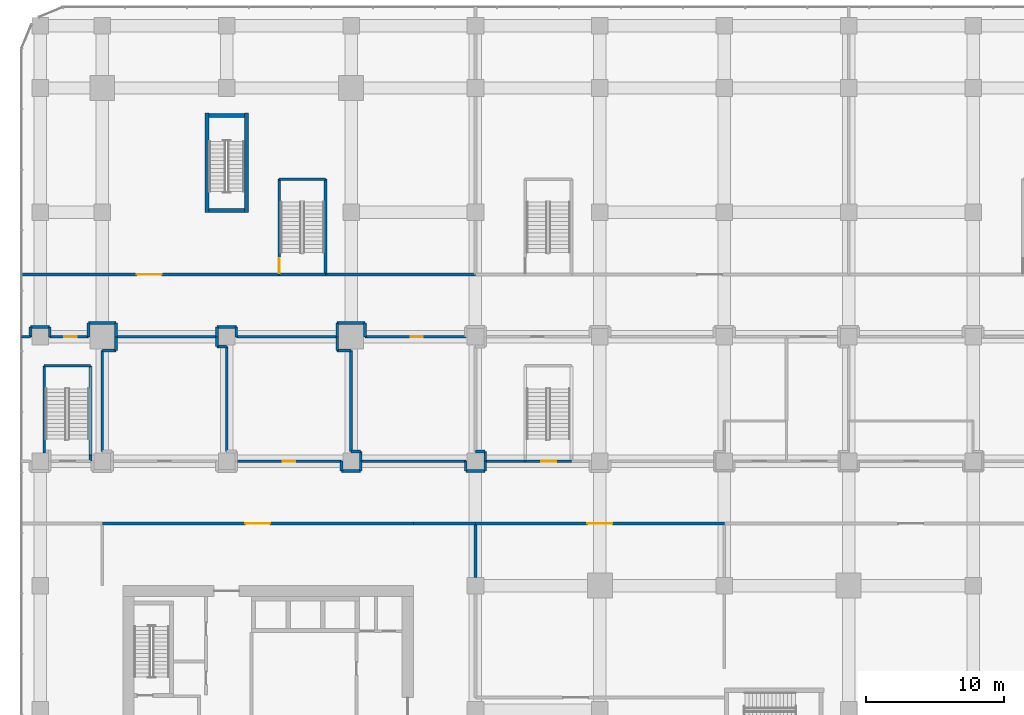
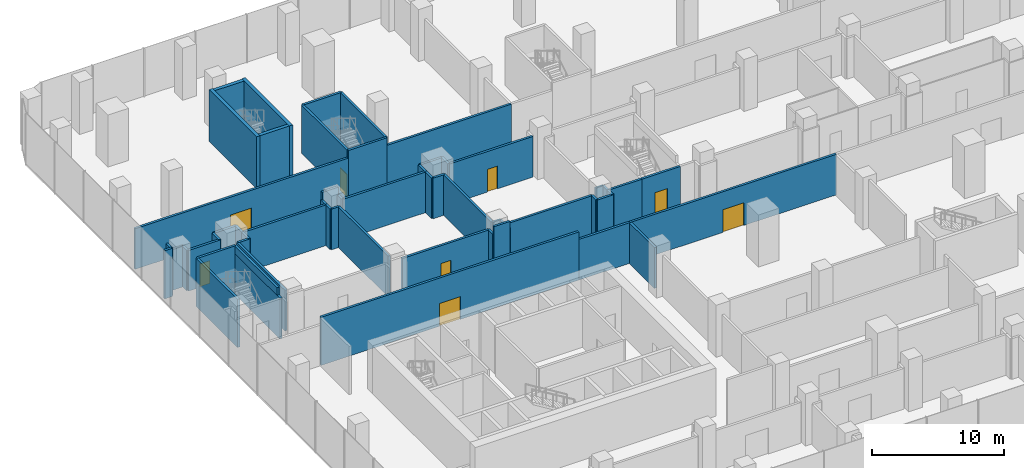
# One storey, part 31 of 42: 58 walls, 8 doors, 8 openings.
"""IFC4 building model written with IfcOpenShell, lengths in metres."""

from ifc_helpers import new_model, si_unit, direction, frame, frame_2d, origin, place, context, subcontext, project, spatial, rectangle, extrude, material, layer, layer_set, type_object, element, fill, save


model = new_model("IFC4")

# Units and contexts
model_context = context("Model", 3, precision=1e-05, world=origin(), true_north=direction((0.0, 1.0)))
body_context = subcontext(model_context, "Body", "Model", "MODEL_VIEW")
ifc_project = project(units=[si_unit("LENGTHUNIT", "METRE"), si_unit("AREAUNIT", "SQUARE_METRE"), si_unit("VOLUMEUNIT", "CUBIC_METRE"), si_unit("PLANEANGLEUNIT", "RADIAN"), si_unit("MASSUNIT", "GRAM", prefix="KILO")], contexts=[model_context])

# Site, building, storey
site_placement = place(None, origin())
site = spatial("IfcSite", under=ifc_project, at=site_placement, CompositionType="ELEMENT")
building_placement = place(site_placement, origin())
building = spatial("IfcBuilding", under=site, at=building_placement, Name="Plateau Cross Towers", CompositionType="ELEMENT")
storey_placement = place(building_placement, frame((0.0, 0.0, 8.0)))
storey = spatial("IfcBuildingStorey", under=building, at=storey_placement, Name="L01", CompositionType="ELEMENT", Elevation=8.0)

# Wall, opening, door
ifc_material_1 = material(Name="Gypsum board on steel studs, two layers each side", Category="steel")
ifc_layer_1 = layer(ifc_material_1, 0.199951171875)
ifc_layer_set_1 = layer_set([ifc_layer_1], Name="Gypsum board on steel studs, two layers each side")
wall_type_1 = type_object("IfcWallType", Name="Podium compartment wall 200", PredefinedType="PARTITIONING", material=ifc_layer_set_1)
wall_1_placement = place(storey_placement, frame((-1.0, 36.0, 0.0), z_axis=(0.0, 0.0, 1.0), x_axis=(-1.0, 0.0, 0.0)))
wall_1 = element("IfcWall", 1, at=wall_1_placement, inside=storey, type_object=wall_type_1, Name="Partition wall", PredefinedType="PARTITIONING", context=body_context, shape_type="SweptSolid", body=[
    extrude(rectangle(XDim=2.800048828125, YDim=0.199951171875, at=frame_2d((1.39990234375, 0.0))), origin(), (0.0, 0.0, 1.0), 3.75),
])
opening_1_placement = place(wall_1_placement, frame((0.85009765625, 0.0, 0.0)))
opening_1 = element("IfcOpeningElement", 2, at=opening_1_placement, cuts=wall_1, Name="Opening 01-13", PredefinedType="OPENING", context=body_context, shape_type="SweptSolid", body=[
    extrude(rectangle(XDim=0.89990234375, YDim=2.10009765625, at=frame_2d((0.449951171875, 1.050048828125))), frame((0.0, 0.10986328125, 0.0), z_axis=(0.0, -1.0, 0.0), x_axis=(1.0, 0.0, 0.0)), (0.0, 0.0, 1.0), 0.219970703125),
])
ifc_material_2 = material(Name="Timber, fire-resisting leaf", Category="wood")
door_type_1 = type_object("IfcDoorType", Name="Podium service door 900", OperationType="NOTDEFINED", PredefinedType="DOOR", material=ifc_material_2)
door_1_placement = place(opening_1_placement, origin())
door_1 = element("IfcDoor", 3, at=door_1_placement, inside=storey, type_object=door_type_1, Name="Door 01-13", OperationType="SINGLE_SWING_LEFT", OverallHeight=2.10009765625, OverallWidth=0.89990234375, PredefinedType="DOOR", context=body_context, shape_type="SweptSolid", body=[
    extrude(rectangle(XDim=0.89990234375, YDim=2.10009765625, at=frame_2d((0.449951171875, 1.050048828125))), frame((0.0, 0.02490234375, 0.0), z_axis=(0.0, -1.0, 0.0), x_axis=(1.0, 0.0, 0.0)), (0.0, 0.0, 1.0), 0.050048828125),
])
fill(opening_1, door_1)

ifc_material_3 = material(Name="Gypsum board on steel studs", Category="steel")
ifc_layer_2 = layer(ifc_material_3, 0.199951171875)
ifc_layer_set_2 = layer_set([ifc_layer_2], Name="Gypsum board on steel studs")
wall_type_2 = type_object("IfcWallType", Name="Podium partition 200", PredefinedType="PARTITIONING", material=ifc_layer_set_2)
wall_2_placement = place(storey_placement, frame((0.0, 22.5, 0.0), z_axis=(0.0, 0.0, 1.0), x_axis=(1.0, 0.0, 0.0)))
wall_2 = element("IfcWall", 4, at=wall_2_placement, inside=storey, type_object=wall_type_2, Name="Partition wall", PredefinedType="PARTITIONING", context=body_context, shape_type="SweptSolid", body=[
    extrude(rectangle(XDim=22.5, YDim=0.199951171875, at=frame_2d((11.25, 0.0))), origin(), (0.0, 0.0, 1.0), 4.449951171875),
])
opening_2_placement = place(wall_2_placement, frame((10.35009765625, 0.0, 0.0)))
opening_2 = element("IfcOpeningElement", 5, at=opening_2_placement, cuts=wall_2, Name="Opening 01-29", PredefinedType="OPENING", context=body_context, shape_type="SweptSolid", body=[
    extrude(rectangle(XDim=1.800048828125, YDim=2.10009765625, at=frame_2d((0.89990234375, 1.050048828125))), frame((0.0, 0.10986328125, 0.0), z_axis=(0.0, -1.0, 0.0), x_axis=(1.0, 0.0, 0.0)), (0.0, 0.0, 1.0), 0.219970703125),
])
ifc_material_4 = material(Name="Aluminium frame, toughened glass", Category="aluminium")
door_type_2 = type_object("IfcDoorType", Name="Podium door pair 1800", OperationType="NOTDEFINED", PredefinedType="DOOR", material=ifc_material_4)
door_2_placement = place(opening_2_placement, origin())
door_2 = element("IfcDoor", 6, at=door_2_placement, inside=storey, type_object=door_type_2, Name="Door 01-29", OperationType="DOUBLE_DOOR_SINGLE_SWING", OverallHeight=2.10009765625, OverallWidth=1.800048828125, PredefinedType="DOOR", context=body_context, shape_type="SweptSolid", body=[
    extrude(rectangle(XDim=1.800048828125, YDim=2.10009765625, at=frame_2d((0.89990234375, 1.050048828125))), frame((0.0, 0.02490234375, 0.0), z_axis=(0.0, -1.0, 0.0), x_axis=(1.0, 0.0, 0.0)), (0.0, 0.0, 1.0), 0.050048828125),
])
fill(opening_2, door_2)

# Wall
wall_3_placement = place(storey_placement, frame((22.5, 22.5, 0.0), z_axis=(0.0, 0.0, 1.0), x_axis=(1.0, 0.0, 0.0)))
element("IfcWall", 7, at=wall_3_placement, inside=storey, type_object=wall_type_2, Name="Partition wall", PredefinedType="PARTITIONING", context=body_context, shape_type="SweptSolid", body=[
    extrude(rectangle(XDim=4.5, YDim=0.199951171875, at=frame_2d((2.25, 0.0))), origin(), (0.0, 0.0, 1.0), 3.75),
])

# Wall, opening, door
wall_4_placement = place(storey_placement, frame((-5.85009765625, 40.5, 0.0), z_axis=(0.0, 0.0, 1.0), x_axis=(1.0, 0.0, 0.0)))
wall_4 = element("IfcWall", 8, at=wall_4_placement, inside=storey, type_object=wall_type_2, Name="Partition wall", PredefinedType="PARTITIONING", context=body_context, shape_type="SweptSolid", body=[
    extrude(rectangle(XDim=18.650146484375, YDim=0.199951171875, at=frame_2d((9.3251953125, 0.0))), origin(), (0.0, 0.0, 1.0), 3.75),
])
opening_3_placement = place(wall_4_placement, frame((8.35009765625, 0.0, 0.0)))
opening_3 = element("IfcOpeningElement", 9, at=opening_3_placement, cuts=wall_4, Name="Opening 01-27", PredefinedType="OPENING", context=body_context, shape_type="SweptSolid", body=[
    extrude(rectangle(XDim=1.800048828125, YDim=2.10009765625, at=frame_2d((0.89990234375, 1.050048828125))), frame((0.0, 0.10986328125, 0.0), z_axis=(0.0, -1.0, 0.0), x_axis=(1.0, 0.0, 0.0)), (0.0, 0.0, 1.0), 0.219970703125),
])
door_3_placement = place(opening_3_placement, origin())
door_3 = element("IfcDoor", 10, at=door_3_placement, inside=storey, type_object=door_type_2, Name="Door 01-27", OperationType="DOUBLE_DOOR_SINGLE_SWING", OverallHeight=2.10009765625, OverallWidth=1.800048828125, PredefinedType="DOOR", context=body_context, shape_type="SweptSolid", body=[
    extrude(rectangle(XDim=1.800048828125, YDim=2.10009765625, at=frame_2d((0.89990234375, 1.050048828125))), frame((0.0, 0.02490234375, 0.0), z_axis=(0.0, -1.0, 0.0), x_axis=(1.0, 0.0, 0.0)), (0.0, 0.0, 1.0), 0.050048828125),
])
fill(opening_3, door_3)

wall_5_placement = place(storey_placement, frame((45.0, 22.5, 0.0), z_axis=(0.0, 0.0, 1.0), x_axis=(-1.0, 0.0, 0.0)))
wall_5 = element("IfcWall", 11, at=wall_5_placement, inside=storey, type_object=wall_type_2, Name="Partition wall", PredefinedType="PARTITIONING", context=body_context, shape_type="SweptSolid", body=[
    extrude(rectangle(XDim=18.0, YDim=0.199951171875, at=frame_2d((9.0, 0.0))), origin(), (0.0, 0.0, 1.0), 3.75),
])
opening_4_placement = place(wall_5_placement, frame((8.10009765625, 0.0, 0.0)))
opening_4 = element("IfcOpeningElement", 12, at=opening_4_placement, cuts=wall_5, Name="Opening 01-35", PredefinedType="OPENING", context=body_context, shape_type="SweptSolid", body=[
    extrude(rectangle(XDim=1.800048828125, YDim=2.10009765625, at=frame_2d((0.89990234375, 1.050048828125))), frame((0.0, 0.10986328125, 0.0), z_axis=(0.0, -1.0, 0.0), x_axis=(1.0, 0.0, 0.0)), (0.0, 0.0, 1.0), 0.219970703125),
])
door_4_placement = place(opening_4_placement, origin())
door_4 = element("IfcDoor", 13, at=door_4_placement, inside=storey, type_object=door_type_2, Name="Door 01-35", OperationType="DOUBLE_DOOR_SINGLE_SWING", OverallHeight=2.10009765625, OverallWidth=1.800048828125, PredefinedType="DOOR", context=body_context, shape_type="SweptSolid", body=[
    extrude(rectangle(XDim=1.800048828125, YDim=2.10009765625, at=frame_2d((0.89990234375, 1.050048828125))), frame((0.0, 0.02490234375, 0.0), z_axis=(0.0, -1.0, 0.0), x_axis=(1.0, 0.0, 0.0)), (0.0, 0.0, 1.0), 0.050048828125),
])
fill(opening_4, door_4)

wall_6_placement = place(storey_placement, frame((26.300048828125, 36.0, 0.0), z_axis=(0.0, 0.0, 1.0), x_axis=(-1.0, 0.0, 0.0)))
wall_6 = element("IfcWall", 14, at=wall_6_placement, inside=storey, type_object=wall_type_2, Name="Partition wall", PredefinedType="PARTITIONING", context=body_context, shape_type="SweptSolid", body=[
    extrude(rectangle(XDim=7.300048828125, YDim=0.199951171875, at=frame_2d((3.64990234375, 0.0))), origin(), (0.0, 0.0, 1.0), 3.75),
])
opening_5_placement = place(wall_6_placement, frame((3.10009765625, 0.0, 0.0)))
opening_5 = element("IfcOpeningElement", 15, at=opening_5_placement, cuts=wall_6, Name="Opening 01-16", PredefinedType="OPENING", context=body_context, shape_type="SweptSolid", body=[
    extrude(rectangle(XDim=0.89990234375, YDim=2.10009765625, at=frame_2d((0.449951171875, 1.050048828125))), frame((0.0, 0.10986328125, 0.0), z_axis=(0.0, -1.0, 0.0), x_axis=(1.0, 0.0, 0.0)), (0.0, 0.0, 1.0), 0.219970703125),
])
ifc_material_5 = material(Name="Timber leaf", Category="wood")
door_type_3 = type_object("IfcDoorType", Name="Podium room door 900", OperationType="NOTDEFINED", PredefinedType="DOOR", material=ifc_material_5)
door_5_placement = place(opening_5_placement, origin())
door_5 = element("IfcDoor", 16, at=door_5_placement, inside=storey, type_object=door_type_3, Name="Door 01-16", OperationType="SINGLE_SWING_LEFT", OverallHeight=2.10009765625, OverallWidth=0.89990234375, PredefinedType="DOOR", context=body_context, shape_type="SweptSolid", body=[
    extrude(rectangle(XDim=0.89990234375, YDim=2.10009765625, at=frame_2d((0.449951171875, 1.050048828125))), frame((0.0, 0.02490234375, 0.0), z_axis=(0.0, -1.0, 0.0), x_axis=(1.0, 0.0, 0.0)), (0.0, 0.0, 1.0), 0.050048828125),
])
fill(opening_5, door_5)

# Walls
wall_7_placement = place(storey_placement, frame((19.0, 36.0, 0.0), z_axis=(0.0, 0.0, 1.0), x_axis=(0.0, 1.0, 0.0)))
element("IfcWall", 17, at=wall_7_placement, inside=storey, type_object=wall_type_2, Name="Partition wall", PredefinedType="PARTITIONING", context=body_context, shape_type="SweptSolid", body=[
    extrude(rectangle(XDim=1.0, YDim=0.199951171875, at=frame_2d((0.5, 0.0))), origin(), (0.0, 0.0, 1.0), 3.75),
])
wall_8_placement = place(storey_placement, frame((19.0, 37.0, 0.0), z_axis=(0.0, 0.0, 1.0), x_axis=(-1.0, 0.0, 0.0)))
element("IfcWall", 18, at=wall_8_placement, inside=storey, type_object=wall_type_2, Name="Partition wall", PredefinedType="PARTITIONING", context=body_context, shape_type="SweptSolid", body=[
    extrude(rectangle(XDim=2.0, YDim=0.199951171875, at=frame_2d((1.0, 0.0))), origin(), (0.0, 0.0, 1.0), 3.75),
])
wall_9_placement = place(storey_placement, frame((17.0, 37.0, 0.0), z_axis=(0.0, 0.0, 1.0), x_axis=(0.0, -1.0, 0.0)))
element("IfcWall", 19, at=wall_9_placement, inside=storey, type_object=wall_type_2, Name="Partition wall", PredefinedType="PARTITIONING", context=body_context, shape_type="SweptSolid", body=[
    extrude(rectangle(XDim=1.0, YDim=0.199951171875, at=frame_2d((0.5, 0.0))), origin(), (0.0, 0.0, 1.0), 3.75),
])
wall_10_placement = place(storey_placement, frame((27.0, 22.39990234375, 0.0), z_axis=(0.0, 0.0, 1.0), x_axis=(0.0, -1.0, 0.0)))
element("IfcWall", 20, at=wall_10_placement, inside=storey, type_object=wall_type_2, Name="Partition wall", PredefinedType="PARTITIONING", context=body_context, shape_type="SweptSolid", body=[
    extrude(rectangle(XDim=3.7998046875, YDim=0.199951171875, at=frame_2d((1.89990234375, 0.0))), origin(), (0.0, 0.0, 1.0), 3.75),
])
wall_11_placement = place(storey_placement, frame((16.14990234375, 40.5, 0.0), z_axis=(0.0, 0.0, 1.0), x_axis=(1.0, 0.0, 0.0)))
element("IfcWall", 21, at=wall_11_placement, inside=storey, type_object=wall_type_2, Name="Partition wall", PredefinedType="PARTITIONING", context=body_context, shape_type="SweptSolid", body=[
    extrude(rectangle(XDim=10.85009765625, YDim=0.199951171875, at=frame_2d((5.425048828125, 0.0))), origin(), (0.0, 0.0, 1.0), 3.75),
])
for number, where, z_axis, x_axis, name in (
    (22, (17.0, 36.0, 0.0), (0.0, 0.0, 1.0), (0.0, -1.0, 0.0), "Partition wall"),
    (23, (17.0, 35.0, 0.0), (0.0, 0.0, 1.0), (1.0, 0.0, 0.0), "Partition wall"),
):
    element("IfcWall", number, at=place(storey_placement, frame(where, z_axis=z_axis, x_axis=x_axis)), inside=storey, type_object=wall_type_2, Name=name, PredefinedType="PARTITIONING", context=body_context, shape_type="SweptSolid", body=[
        extrude(rectangle(XDim=1.0, YDim=0.199951171875, at=frame_2d((0.5, 0.0))), origin(), (0.0, 0.0, 1.0), 3.75),
    ])
wall_12_placement = place(storey_placement, frame((18.0, 35.0, 0.0), z_axis=(0.0, 0.0, 1.0), x_axis=(0.0, -1.0, 0.0)))
element("IfcWall", 24, at=wall_12_placement, inside=storey, type_object=wall_type_2, Name="Partition wall", PredefinedType="PARTITIONING", context=body_context, shape_type="SweptSolid", body=[
    extrude(rectangle(XDim=7.300048828125, YDim=0.199951171875, at=frame_2d((3.64990234375, 0.0))), origin(), (0.0, 0.0, 1.0), 3.75),
])
for number, where, z_axis, x_axis, name in (
    (25, (18.0, 27.699951171875, 0.0), (0.0, 0.0, 1.0), (1.0, 0.0, 0.0), "Partition wall"),
    (26, (18.699951171875, 27.699951171875, 0.0), (0.0, 0.0, 1.0), (0.0, -1.0, 0.0), "Partition wall"),
):
    element("IfcWall", number, at=place(storey_placement, frame(where, z_axis=z_axis, x_axis=x_axis)), inside=storey, type_object=wall_type_2, Name=name, PredefinedType="PARTITIONING", context=body_context, shape_type="SweptSolid", body=[
        extrude(rectangle(XDim=0.699951171875, YDim=0.199951171875, at=frame_2d((0.35009765625, 0.0))), origin(), (0.0, 0.0, 1.0), 3.75),
    ])
for number, where, z_axis, x_axis, name in (
    (27, (1.0, 36.0, 0.0), (0.0, 0.0, 1.0), (0.0, -1.0, 0.0), "Partition wall"),
    (28, (1.0, 35.0, 0.0), (0.0, 0.0, 1.0), (-1.0, 0.0, 0.0), "Partition wall"),
):
    element("IfcWall", number, at=place(storey_placement, frame(where, z_axis=z_axis, x_axis=x_axis)), inside=storey, type_object=wall_type_2, Name=name, PredefinedType="PARTITIONING", context=body_context, shape_type="SweptSolid", body=[
        extrude(rectangle(XDim=1.0, YDim=0.199951171875, at=frame_2d((0.5, 0.0))), origin(), (0.0, 0.0, 1.0), 3.75),
    ])
wall_13_placement = place(storey_placement, frame((0.0, 35.0, 0.0), z_axis=(0.0, 0.0, 1.0), x_axis=(0.0, -1.0, 0.0)))
element("IfcWall", 29, at=wall_13_placement, inside=storey, type_object=wall_type_2, Name="Partition wall", PredefinedType="PARTITIONING", context=body_context, shape_type="SweptSolid", body=[
    extrude(rectangle(XDim=7.300048828125, YDim=0.199951171875, at=frame_2d((3.64990234375, 0.0))), origin(), (0.0, 0.0, 1.0), 3.75),
])
wall_14_placement = place(storey_placement, frame((18.699951171875, 27.0, 0.0), z_axis=(0.0, 0.0, 1.0), x_axis=(1.0, 0.0, 0.0)))
element("IfcWall", 30, at=wall_14_placement, inside=storey, type_object=wall_type_2, Name="Partition wall", PredefinedType="PARTITIONING", context=body_context, shape_type="SweptSolid", body=[
    extrude(rectangle(XDim=7.60009765625, YDim=0.199951171875, at=frame_2d((3.800048828125, 0.0))), origin(), (0.0, 0.0, 1.0), 3.75),
])
wall_15_placement = place(storey_placement, frame((26.300048828125, 27.0, 0.0), z_axis=(0.0, 0.0, 1.0), x_axis=(0.0, -1.0, 0.0)))
element("IfcWall", 31, at=wall_15_placement, inside=storey, type_object=wall_type_2, Name="Partition wall", PredefinedType="PARTITIONING", context=body_context, shape_type="SweptSolid", body=[
    extrude(rectangle(XDim=0.699951171875, YDim=0.199951171875, at=frame_2d((0.35009765625, 0.0))), origin(), (0.0, 0.0, 1.0), 3.75),
])
wall_16_placement = place(storey_placement, frame((26.300048828125, 26.300048828125, 0.0), z_axis=(0.0, 0.0, 1.0), x_axis=(1.0, 0.0, 0.0)))
element("IfcWall", 32, at=wall_16_placement, inside=storey, type_object=wall_type_2, Name="Partition wall", PredefinedType="PARTITIONING", context=body_context, shape_type="SweptSolid", body=[
    extrude(rectangle(XDim=1.39990234375, YDim=0.199951171875, at=frame_2d((0.699951171875, 0.0))), origin(), (0.0, 0.0, 1.0), 3.75),
])
wall_17_placement = place(storey_placement, frame((27.699951171875, 26.300048828125, 0.0), z_axis=(0.0, 0.0, 1.0), x_axis=(0.0, 1.0, 0.0)))
element("IfcWall", 33, at=wall_17_placement, inside=storey, type_object=wall_type_2, Name="Partition wall", PredefinedType="PARTITIONING", context=body_context, shape_type="SweptSolid", body=[
    extrude(rectangle(XDim=0.699951171875, YDim=0.199951171875, at=frame_2d((0.35009765625, 0.0))), origin(), (0.0, 0.0, 1.0), 3.75),
])

# Wall, opening, door
wall_18_placement = place(storey_placement, frame((9.699951171875, 27.0, 0.0), z_axis=(0.0, 0.0, 1.0), x_axis=(1.0, 0.0, 0.0)))
wall_18 = element("IfcWall", 34, at=wall_18_placement, inside=storey, type_object=wall_type_2, Name="Partition wall", PredefinedType="PARTITIONING", context=body_context, shape_type="SweptSolid", body=[
    extrude(rectangle(XDim=7.60009765625, YDim=0.199951171875, at=frame_2d((3.800048828125, 0.0))), origin(), (0.0, 0.0, 1.0), 3.75),
])
opening_6_placement = place(wall_18_placement, frame((3.35009765625, 0.0, 0.0)))
opening_6 = element("IfcOpeningElement", 35, at=opening_6_placement, cuts=wall_18, Name="Opening 01-15", PredefinedType="OPENING", context=body_context, shape_type="SweptSolid", body=[
    extrude(rectangle(XDim=0.89990234375, YDim=2.10009765625, at=frame_2d((0.449951171875, 1.050048828125))), frame((0.0, 0.10986328125, 0.0), z_axis=(0.0, -1.0, 0.0), x_axis=(1.0, 0.0, 0.0)), (0.0, 0.0, 1.0), 0.219970703125),
])
door_6_placement = place(opening_6_placement, origin())
door_6 = element("IfcDoor", 36, at=door_6_placement, inside=storey, type_object=door_type_3, Name="Door 01-15", OperationType="SINGLE_SWING_LEFT", OverallHeight=2.10009765625, OverallWidth=0.89990234375, PredefinedType="DOOR", context=body_context, shape_type="SweptSolid", body=[
    extrude(rectangle(XDim=0.89990234375, YDim=2.10009765625, at=frame_2d((0.449951171875, 1.050048828125))), frame((0.0, 0.02490234375, 0.0), z_axis=(0.0, -1.0, 0.0), x_axis=(1.0, 0.0, 0.0)), (0.0, 0.0, 1.0), 0.050048828125),
])
fill(opening_6, door_6)

# Walls
wall_19_placement = place(storey_placement, frame((17.300048828125, 27.0, 0.0), z_axis=(0.0, 0.0, 1.0), x_axis=(0.0, -1.0, 0.0)))
element("IfcWall", 37, at=wall_19_placement, inside=storey, type_object=wall_type_2, Name="Partition wall", PredefinedType="PARTITIONING", context=body_context, shape_type="SweptSolid", body=[
    extrude(rectangle(XDim=0.699951171875, YDim=0.199951171875, at=frame_2d((0.35009765625, 0.0))), origin(), (0.0, 0.0, 1.0), 3.75),
])
wall_20_placement = place(storey_placement, frame((17.300048828125, 26.300048828125, 0.0), z_axis=(0.0, 0.0, 1.0), x_axis=(1.0, 0.0, 0.0)))
element("IfcWall", 38, at=wall_20_placement, inside=storey, type_object=wall_type_2, Name="Partition wall", PredefinedType="PARTITIONING", context=body_context, shape_type="SweptSolid", body=[
    extrude(rectangle(XDim=1.39990234375, YDim=0.199951171875, at=frame_2d((0.699951171875, 0.0))), origin(), (0.0, 0.0, 1.0), 4.449951171875),
])
for number, where, z_axis, x_axis, name in (
    (39, (18.699951171875, 26.300048828125, 0.0), (0.0, 0.0, 1.0), (0.0, 1.0, 0.0), "Partition wall"),
    (40, (27.0, 27.699951171875, 0.0), (0.0, 0.0, 1.0), (1.0, 0.0, 0.0), "Partition wall"),
    (41, (27.699951171875, 27.699951171875, 0.0), (0.0, 0.0, 1.0), (0.0, -1.0, 0.0), "Partition wall"),
):
    element("IfcWall", number, at=place(storey_placement, frame(where, z_axis=z_axis, x_axis=x_axis)), inside=storey, type_object=wall_type_2, Name=name, PredefinedType="PARTITIONING", context=body_context, shape_type="SweptSolid", body=[
        extrude(rectangle(XDim=0.699951171875, YDim=0.199951171875, at=frame_2d((0.35009765625, 0.0))), origin(), (0.0, 0.0, 1.0), 3.75),
    ])
wall_21_placement = place(storey_placement, frame((16.89990234375, 36.0, 0.0), z_axis=(0.0, 0.0, 1.0), x_axis=(-1.0, 0.0, 0.0)))
element("IfcWall", 42, at=wall_21_placement, inside=storey, type_object=wall_type_2, Name="Partition wall", PredefinedType="PARTITIONING", context=body_context, shape_type="SweptSolid", body=[
    extrude(rectangle(XDim=7.199951171875, YDim=0.199951171875, at=frame_2d((3.60009765625, 0.0))), origin(), (0.0, 0.0, 1.0), 3.75),
])
wall_22_placement = place(storey_placement, frame((9.699951171875, 36.0, 0.0), z_axis=(0.0, 0.0, 1.0), x_axis=(0.0, 1.0, 0.0)))
element("IfcWall", 43, at=wall_22_placement, inside=storey, type_object=wall_type_2, Name="Partition wall", PredefinedType="PARTITIONING", context=body_context, shape_type="SweptSolid", body=[
    extrude(rectangle(XDim=0.699951171875, YDim=0.199951171875, at=frame_2d((0.35009765625, 0.0))), origin(), (0.0, 0.0, 1.0), 3.75),
])
wall_23_placement = place(storey_placement, frame((9.699951171875, 36.699951171875, 0.0), z_axis=(0.0, 0.0, 1.0), x_axis=(-1.0, 0.0, 0.0)))
element("IfcWall", 44, at=wall_23_placement, inside=storey, type_object=wall_type_2, Name="Partition wall", PredefinedType="PARTITIONING", context=body_context, shape_type="SweptSolid", body=[
    extrude(rectangle(XDim=1.39990234375, YDim=0.199951171875, at=frame_2d((0.699951171875, 0.0))), origin(), (0.0, 0.0, 1.0), 4.449951171875),
])
for number, where, z_axis, x_axis, name in (
    (45, (8.300048828125, 36.699951171875, 0.0), (0.0, 0.0, 1.0), (0.0, -1.0, 0.0), "Partition wall"),
    (46, (8.300048828125, 36.0, 0.0), (0.0, 0.0, 1.0), (0.0, -1.0, 0.0), "Partition wall"),
    (47, (8.300048828125, 35.300048828125, 0.0), (0.0, 0.0, 1.0), (1.0, 0.0, 0.0), "Partition wall"),
):
    element("IfcWall", number, at=place(storey_placement, frame(where, z_axis=z_axis, x_axis=x_axis)), inside=storey, type_object=wall_type_2, Name=name, PredefinedType="PARTITIONING", context=body_context, shape_type="SweptSolid", body=[
        extrude(rectangle(XDim=0.699951171875, YDim=0.199951171875, at=frame_2d((0.35009765625, 0.0))), origin(), (0.0, 0.0, 1.0), 3.75),
    ])
wall_24_placement = place(storey_placement, frame((9.0, 35.300048828125, 0.0), z_axis=(0.0, 0.0, 1.0), x_axis=(0.0, -1.0, 0.0)))
element("IfcWall", 48, at=wall_24_placement, inside=storey, type_object=wall_type_2, Name="Partition wall", PredefinedType="PARTITIONING", context=body_context, shape_type="SweptSolid", body=[
    extrude(rectangle(XDim=7.60009765625, YDim=0.199951171875, at=frame_2d((3.800048828125, 0.0))), origin(), (0.0, 0.0, 1.0), 3.75),
])
wall_25_placement = place(storey_placement, frame((8.199951171875, 36.0, 0.0), z_axis=(0.0, 0.0, 1.0), x_axis=(-1.0, 0.0, 0.0)))
element("IfcWall", 49, at=wall_25_placement, inside=storey, type_object=wall_type_2, Name="Partition wall", PredefinedType="PARTITIONING", context=body_context, shape_type="SweptSolid", body=[
    extrude(rectangle(XDim=7.199951171875, YDim=0.199951171875, at=frame_2d((3.60009765625, 0.0))), origin(), (0.0, 0.0, 1.0), 3.75),
])
wall_26_placement = place(storey_placement, frame((1.0, 36.0, 0.0), z_axis=(0.0, 0.0, 1.0), x_axis=(0.0, 1.0, 0.0)))
element("IfcWall", 50, at=wall_26_placement, inside=storey, type_object=wall_type_2, Name="Partition wall", PredefinedType="PARTITIONING", context=body_context, shape_type="SweptSolid", body=[
    extrude(rectangle(XDim=1.0, YDim=0.199951171875, at=frame_2d((0.5, 0.0))), origin(), (0.0, 0.0, 1.0), 3.75),
])
wall_27_placement = place(storey_placement, frame((1.0, 37.0, 0.0), z_axis=(0.0, 0.0, 1.0), x_axis=(-1.0, 0.0, 0.0)))
element("IfcWall", 51, at=wall_27_placement, inside=storey, type_object=wall_type_2, Name="Partition wall", PredefinedType="PARTITIONING", context=body_context, shape_type="SweptSolid", body=[
    extrude(rectangle(XDim=2.0, YDim=0.199951171875, at=frame_2d((1.0, 0.0))), origin(), (0.0, 0.0, 1.0), 3.75),
])
wall_28_placement = place(storey_placement, frame((-1.0, 37.0, 0.0), z_axis=(0.0, 0.0, 1.0), x_axis=(0.0, -1.0, 0.0)))
element("IfcWall", 52, at=wall_28_placement, inside=storey, type_object=wall_type_2, Name="Partition wall", PredefinedType="PARTITIONING", context=body_context, shape_type="SweptSolid", body=[
    extrude(rectangle(XDim=1.0, YDim=0.199951171875, at=frame_2d((0.5, 0.0))), origin(), (0.0, 0.0, 1.0), 3.75),
])
wall_29_placement = place(storey_placement, frame((-3.800048828125, 36.0, 0.0), z_axis=(0.0, 0.0, 1.0), x_axis=(0.0, 1.0, 0.0)))
element("IfcWall", 53, at=wall_29_placement, inside=storey, type_object=wall_type_2, Name="Partition wall", PredefinedType="PARTITIONING", context=body_context, shape_type="SweptSolid", body=[
    extrude(rectangle(XDim=0.699951171875, YDim=0.199951171875, at=frame_2d((0.35009765625, 0.0))), origin(), (0.0, 0.0, 1.0), 3.75),
])
wall_30_placement = place(storey_placement, frame((-3.800048828125, 36.699951171875, 0.0), z_axis=(0.0, 0.0, 1.0), x_axis=(-1.0, 0.0, 0.0)))
element("IfcWall", 54, at=wall_30_placement, inside=storey, type_object=wall_type_2, Name="Partition wall", PredefinedType="PARTITIONING", context=body_context, shape_type="SweptSolid", body=[
    extrude(rectangle(XDim=1.39990234375, YDim=0.199951171875, at=frame_2d((0.699951171875, 0.0))), origin(), (0.0, 0.0, 1.0), 3.75),
])
wall_31_placement = place(storey_placement, frame((-5.199951171875, 36.699951171875, 0.0), z_axis=(0.0, 0.0, 1.0), x_axis=(0.0, -1.0, 0.0)))
element("IfcWall", 55, at=wall_31_placement, inside=storey, type_object=wall_type_2, Name="Partition wall", PredefinedType="PARTITIONING", context=body_context, shape_type="SweptSolid", body=[
    extrude(rectangle(XDim=0.699951171875, YDim=0.199951171875, at=frame_2d((0.35009765625, 0.0))), origin(), (0.0, 0.0, 1.0), 4.449951171875),
])
wall_32_placement = place(storey_placement, frame((-5.199951171875, 36.0, 0.0), z_axis=(0.0, 0.0, 1.0), x_axis=(-1.0, 0.0, 0.0)))
element("IfcWall", 56, at=wall_32_placement, inside=storey, type_object=wall_type_2, Name="Partition wall", PredefinedType="PARTITIONING", context=body_context, shape_type="SweptSolid", body=[
    extrude(rectangle(XDim=0.650146484375, YDim=0.199951171875, at=frame_2d((0.3251953125, 0.0))), origin(), (0.0, 0.0, 1.0), 4.449951171875),
])
wall_33_placement = place(storey_placement, frame((27.800048828125, 27.0, 0.0), z_axis=(0.0, 0.0, 1.0), x_axis=(1.0, 0.0, 0.0)))
element("IfcWall", 57, at=wall_33_placement, inside=storey, type_object=wall_type_2, Name="Partition wall", PredefinedType="PARTITIONING", context=body_context, shape_type="SweptSolid", body=[
    extrude(rectangle(XDim=2.800048828125, YDim=0.199951171875, at=frame_2d((1.39990234375, 0.0))), origin(), (0.0, 0.0, 1.0), 3.75),
])

# Wall, opening, door
ifc_material_6 = material(Name="Fire-rated plasterboard shaft wall system")
ifc_layer_3 = layer(ifc_material_6, 0.199951171875)
ifc_layer_set_3 = layer_set([ifc_layer_3], Name="Fire-rated plasterboard shaft wall system")
wall_type_3 = type_object("IfcWallType", Name="Podium stair shaft wall 200", PredefinedType="PARTITIONING", material=ifc_layer_set_3)
wall_34_placement = place(storey_placement, frame((12.800048828125, 40.5, 0.0), z_axis=(0.0, 0.0, 1.0), x_axis=(0.0, 1.0, 0.0)))
wall_34 = element("IfcWall", 58, at=wall_34_placement, inside=storey, type_object=wall_type_3, Name="Partition wall", PredefinedType="PARTITIONING", context=body_context, shape_type="SweptSolid", body=[
    extrude(rectangle(XDim=6.89990234375, YDim=0.199951171875, at=frame_2d((3.449951171875, 0.0))), origin(), (0.0, 0.0, 1.0), 4.449951171875),
])
opening_7_placement = place(wall_34_placement, frame((0.10009765625, 0.0, 0.0)))
opening_7 = element("IfcOpeningElement", 59, at=opening_7_placement, cuts=wall_34, Name="Opening 01-06", PredefinedType="OPENING", context=body_context, shape_type="SweptSolid", body=[
    extrude(rectangle(XDim=1.10009765625, YDim=2.10009765625, at=frame_2d((0.550048828125, 1.050048828125))), frame((0.0, 0.10986328125, 0.0), z_axis=(0.0, -1.0, 0.0), x_axis=(1.0, 0.0, 0.0)), (0.0, 0.0, 1.0), 0.219970703125),
])
ifc_material_7 = material(Name="Steel, fire-resisting leaf", Category="steel")
door_type_4 = type_object("IfcDoorType", Name="Podium stair door 1100", OperationType="NOTDEFINED", PredefinedType="DOOR", material=ifc_material_7)
door_7_placement = place(opening_7_placement, origin())
door_7 = element("IfcDoor", 60, at=door_7_placement, inside=storey, type_object=door_type_4, Name="Door 01-06", OperationType="SINGLE_SWING_LEFT", OverallHeight=2.10009765625, OverallWidth=1.10009765625, PredefinedType="DOOR", context=body_context, shape_type="SweptSolid", body=[
    extrude(rectangle(XDim=1.10009765625, YDim=2.10009765625, at=frame_2d((0.550048828125, 1.050048828125))), frame((0.0, 0.02490234375, 0.0), z_axis=(0.0, -1.0, 0.0), x_axis=(1.0, 0.0, 0.0)), (0.0, 0.0, 1.0), 0.050048828125),
])
fill(opening_7, door_7)

# Walls
wall_35_placement = place(storey_placement, frame((12.800048828125, 47.39990234375, 0.0), z_axis=(0.0, 0.0, 1.0), x_axis=(1.0, 0.0, 0.0)))
element("IfcWall", 61, at=wall_35_placement, inside=storey, type_object=wall_type_3, Name="Partition wall", PredefinedType="PARTITIONING", context=body_context, shape_type="SweptSolid", body=[
    extrude(rectangle(XDim=3.349853515625, YDim=0.199951171875, at=frame_2d((1.6748046875, 0.0))), origin(), (0.0, 0.0, 1.0), 4.449951171875),
])
wall_36_placement = place(storey_placement, frame((16.14990234375, 47.39990234375, 0.0), z_axis=(0.0, 0.0, 1.0), x_axis=(0.0, -1.0, 0.0)))
element("IfcWall", 62, at=wall_36_placement, inside=storey, type_object=wall_type_3, Name="Partition wall", PredefinedType="PARTITIONING", context=body_context, shape_type="SweptSolid", body=[
    extrude(rectangle(XDim=6.89990234375, YDim=0.199951171875, at=frame_2d((3.449951171875, 0.0))), origin(), (0.0, 0.0, 1.0), 4.449951171875),
])
wall_37_placement = place(storey_placement, frame((-4.199951171875, 33.89990234375, 0.0), z_axis=(0.0, 0.0, 1.0), x_axis=(1.0, 0.0, 0.0)))
element("IfcWall", 63, at=wall_37_placement, inside=storey, type_object=wall_type_3, Name="Partition wall", PredefinedType="PARTITIONING", context=body_context, shape_type="SweptSolid", body=[
    extrude(rectangle(XDim=3.349853515625, YDim=0.199951171875, at=frame_2d((1.6748046875, 0.0))), origin(), (0.0, 0.0, 1.0), 4.449951171875),
])
wall_38_placement = place(storey_placement, frame((-0.85009765625, 33.89990234375, 0.0), z_axis=(0.0, 0.0, 1.0), x_axis=(0.0, -1.0, 0.0)))
element("IfcWall", 64, at=wall_38_placement, inside=storey, type_object=wall_type_3, Name="Partition wall", PredefinedType="PARTITIONING", context=body_context, shape_type="SweptSolid", body=[
    extrude(rectangle(XDim=6.89990234375, YDim=0.199951171875, at=frame_2d((3.449951171875, 0.0))), origin(), (0.0, 0.0, 1.0), 3.75),
])
wall_39_placement = place(storey_placement, frame((-4.199951171875, 27.60009765625, 0.0), z_axis=(0.0, 0.0, 1.0), x_axis=(0.0, 1.0, 0.0)))
element("IfcWall", 65, at=wall_39_placement, inside=storey, type_object=wall_type_3, Name="Partition wall", PredefinedType="PARTITIONING", context=body_context, shape_type="SweptSolid", body=[
    extrude(rectangle(XDim=6.2998046875, YDim=0.199951171875, at=frame_2d((3.14990234375, 0.0))), origin(), (0.0, 0.0, 1.0), 4.449951171875),
])
wall_40_placement = place(storey_placement, frame((16.14990234375, 40.5, 0.0), z_axis=(0.0, 0.0, 1.0), x_axis=(-1.0, 0.0, 0.0)))
element("IfcWall", 66, at=wall_40_placement, inside=storey, type_object=wall_type_3, Name="Partition wall", PredefinedType="PARTITIONING", context=body_context, shape_type="SweptSolid", body=[
    extrude(rectangle(XDim=3.349853515625, YDim=0.199951171875, at=frame_2d((1.6748046875, 0.0))), origin(), (0.0, 0.0, 1.0), 4.449951171875),
])

# Wall, opening, door
wall_41_placement = place(storey_placement, frame((33.949951171875, 27.0, 0.0), z_axis=(0.0, 0.0, 1.0), x_axis=(-1.0, 0.0, 0.0)))
wall_41 = element("IfcWall", 67, at=wall_41_placement, inside=storey, type_object=wall_type_3, Name="Partition wall", PredefinedType="PARTITIONING", context=body_context, shape_type="SweptSolid", body=[
    extrude(rectangle(XDim=3.349853515625, YDim=0.199951171875, at=frame_2d((1.6748046875, 0.0))), origin(), (0.0, 0.0, 1.0), 3.75),
])
opening_8_placement = place(wall_41_placement, frame((1.10009765625, 0.0, 0.0)))
opening_8 = element("IfcOpeningElement", 68, at=opening_8_placement, cuts=wall_41, Name="Opening 01-01", PredefinedType="OPENING", context=body_context, shape_type="SweptSolid", body=[
    extrude(rectangle(XDim=1.10009765625, YDim=2.10009765625, at=frame_2d((0.550048828125, 1.050048828125))), frame((0.0, 0.10986328125, 0.0), z_axis=(0.0, -1.0, 0.0), x_axis=(1.0, 0.0, 0.0)), (0.0, 0.0, 1.0), 0.219970703125),
])
door_8_placement = place(opening_8_placement, origin())
door_8 = element("IfcDoor", 69, at=door_8_placement, inside=storey, type_object=door_type_4, Name="Door 01-01", OperationType="SINGLE_SWING_LEFT", OverallHeight=2.10009765625, OverallWidth=1.10009765625, PredefinedType="DOOR", context=body_context, shape_type="SweptSolid", body=[
    extrude(rectangle(XDim=1.10009765625, YDim=2.10009765625, at=frame_2d((0.550048828125, 1.050048828125))), frame((0.0, 0.02490234375, 0.0), z_axis=(0.0, -1.0, 0.0), x_axis=(1.0, 0.0, 0.0)), (0.0, 0.0, 1.0), 0.050048828125),
])
fill(opening_8, door_8)

# Walls
wall_42_placement = place(storey_placement, frame((-0.85009765625, 33.89990234375, 3.75), z_axis=(0.0, 0.0, 1.0), x_axis=(0.0, -1.0, 0.0)))
element("IfcWall", 70, at=wall_42_placement, inside=storey, type_object=wall_type_3, Name="Partition wall head", PredefinedType="PARTITIONING", context=body_context, shape_type="SweptSolid", body=[
    extrude(rectangle(XDim=6.449951171875, YDim=0.199951171875, at=frame_2d((3.22509765625, 0.0))), origin(), (0.0, 0.0, 1.0), 0.699951171875),
])
ifc_material_8 = material(Name="Concrete C60/75", Category="concrete")
ifc_layer_4 = layer(ifc_material_8, 0.300048828125)
ifc_layer_set_4 = layer_set([ifc_layer_4], Name="Concrete C60/75")
wall_type_4 = type_object("IfcWallType", Name="Stair tower wall 300", PredefinedType="SHEAR", material=ifc_layer_set_4)
for number, where, z_axis, x_axis, name in (
    (71, (7.72509765625, 45.14990234375, 0.0), (0.0, 0.0, 1.0), (1.0, 0.0, 0.0), "A-end-N-S@L01"),
    (72, (7.72509765625, 52.0, 0.0), (0.0, 0.0, 1.0), (1.0, 0.0, 0.0), "A-end-N-N@L01"),
):
    element("IfcWall", number, at=place(storey_placement, frame(where, z_axis=z_axis, x_axis=x_axis)), inside=storey, type_object=wall_type_4, Name=name, PredefinedType="SHEAR", context=body_context, shape_type="SweptSolid", body=[
        extrude(rectangle(XDim=2.5498046875, YDim=0.300048828125, at=frame_2d((1.27490234375, 0.0))), origin(), (0.0, 0.0, 1.0), 4.800048828125),
    ])
for number, where, z_axis, x_axis, name in (
    (73, (7.574951171875, 45.0, 0.0), (0.0, 0.0, 1.0), (0.0, 1.0, 0.0), "A-end-N-W@L01"),
    (74, (10.425048828125, 45.0, 0.0), (0.0, 0.0, 1.0), (0.0, 1.0, 0.0), "A-end-N-E@L01"),
):
    element("IfcWall", number, at=place(storey_placement, frame(where, z_axis=z_axis, x_axis=x_axis)), inside=storey, type_object=wall_type_4, Name=name, PredefinedType="SHEAR", context=body_context, shape_type="SweptSolid", body=[
        extrude(rectangle(XDim=7.199951171875, YDim=0.300048828125, at=frame_2d((3.60009765625, 0.0))), origin(), (0.0, 0.0, 1.0), 4.800048828125),
    ])

save(model, "model.ifc")
